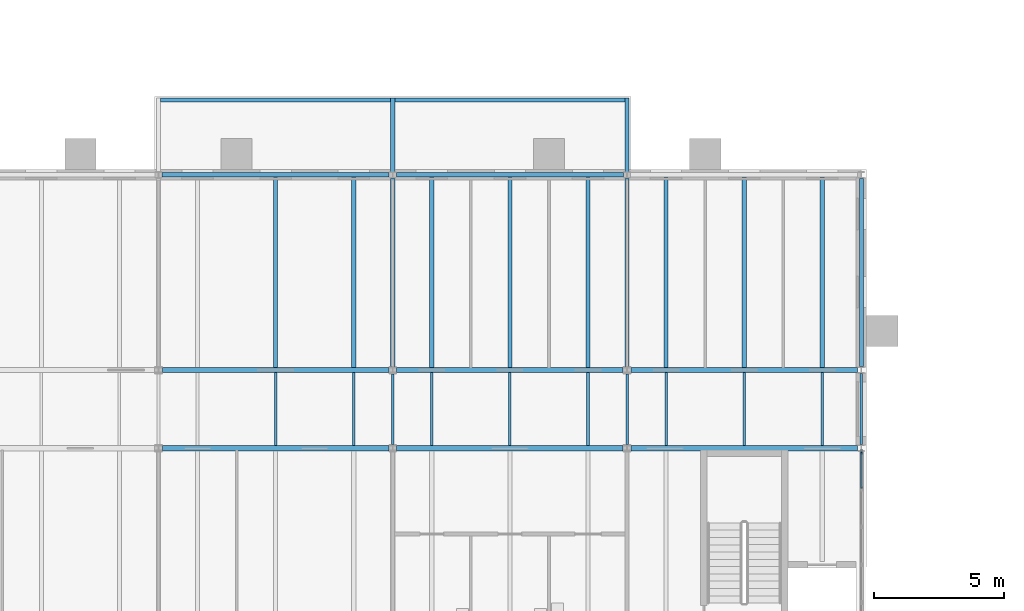
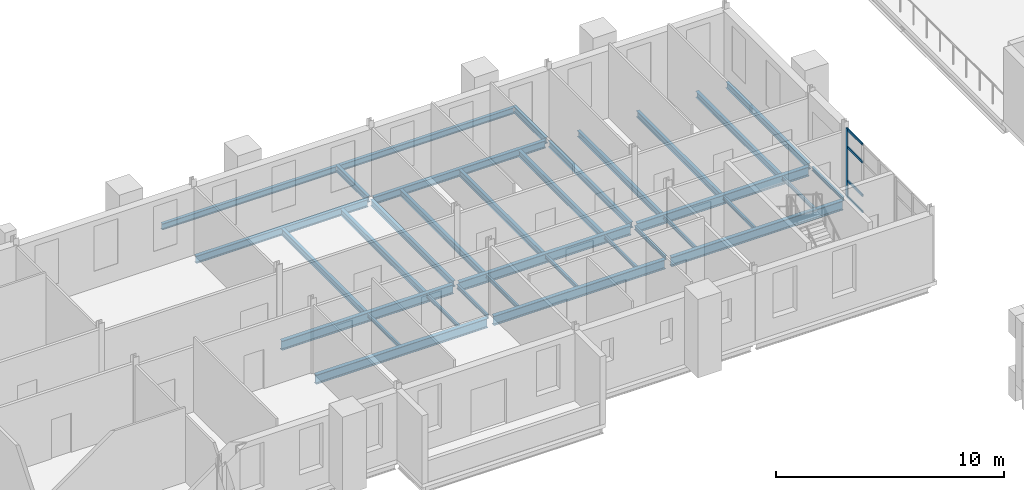
# One storey, part 37 of 154: 34 beams, 5 members, 1 element without a shape of its own.
"""IFC4 building model written with IfcOpenShell, lengths in metres."""

from ifc_helpers import new_model, si_unit, direction, frame, origin, origin_2d, place, context, subcontext, project, spatial, rectangle, i_section, extrude, material, layer, layer_set, material_profile, profile_set, type_object, element, aggregate, save


model = new_model("IFC4")

# Units and contexts
model_context = context("Model", 3, precision=1e-05, world=origin(), true_north=direction((0.0, 1.0)))
body_context = subcontext(model_context, "Body", "Model", "MODEL_VIEW")
ifc_project = project(units=[si_unit("LENGTHUNIT", "METRE"), si_unit("AREAUNIT", "SQUARE_METRE"), si_unit("VOLUMEUNIT", "CUBIC_METRE"), si_unit("PLANEANGLEUNIT", "RADIAN"), si_unit("MASSUNIT", "GRAM", prefix="KILO")], contexts=[model_context])

# Site, building, storey
site_placement = place(None, origin())
site = spatial("IfcSite", under=ifc_project, at=site_placement, CompositionType="ELEMENT")
building_placement = place(site_placement, origin())
building = spatial("IfcBuilding", under=site, at=building_placement, Name="Golden Quay Civic Hall", CompositionType="ELEMENT")
storey_placement = place(building_placement, frame((0.0, 0.0, 14.39990234375)))
storey = spatial("IfcBuildingStorey", under=building, at=storey_placement, Name="L03", CompositionType="ELEMENT", Elevation=14.39990234375)

# Curtain wall, members
ifc_material_1 = material(Name="Glass, laminated double glazed", Category="glass")
ifc_layer = layer(ifc_material_1, 0.199951171875)
ifc_layer_set = layer_set([ifc_layer], Name="Glazed core strip curtain wall")
curtain_wall_type = type_object("IfcCurtainWallType", Name="Glazed core strip curtain wall", PredefinedType="NOTDEFINED", material=ifc_layer_set)
curtain_wall_placement = place(storey_placement, origin())
curtain_wall = element("IfcCurtainWall", 1, at=curtain_wall_placement, inside=storey, type_object=curtain_wall_type, Name="Glazed core strip curtain wall L03 2", PredefinedType="NOTDEFINED")
ifc_material_2 = material(Name="Aluminium, anodised", Category="aluminium")
ifc_material_profile_1 = material_profile(ifc_material_2, rectangle(XDim=0.06005859375, YDim=0.159912109375, at=origin_2d()), Name="Aluminium 60 x 160")
ifc_profile_set_1 = profile_set([ifc_material_profile_1], Name="Aluminium, anodised")
member_type_1 = type_object("IfcMemberType", Name="Aluminium mullion 60 x 160", PredefinedType="MULLION", material=ifc_profile_set_1)
member_1_placement = place(storey_placement, frame((54.0, 70.35498046875, 0.0), z_axis=(0.0, 0.0, 1.0), x_axis=(1.0, 0.0, 0.0)))
member_1 = element("IfcMember", 2, at=member_1_placement, type_object=member_type_1, Name="CW2 mullion 1", PredefinedType="MULLION", context=body_context, shape_type="SweptSolid", body=[
    extrude(rectangle(XDim=0.06005859375, YDim=0.159912109375, at=origin_2d()), origin(), (0.0, 0.0, 1.0), 3.670166015625),
])
ifc_material_3 = material(Name="Aluminium, anodised", Category="aluminium")
ifc_material_profile_2 = material_profile(ifc_material_3, rectangle(XDim=0.06005859375, YDim=0.1201171875, at=origin_2d()), Name="Aluminium 60 x 120")
ifc_profile_set_2 = profile_set([ifc_material_profile_2], Name="Aluminium, anodised")
member_type_2 = type_object("IfcMemberType", Name="Aluminium transom 60 x 120", PredefinedType="USERDEFINED", material=ifc_profile_set_2)
member_2_placement = place(storey_placement, frame((54.0, 70.324951171875, 0.030029296875), z_axis=(0.0, -1.0, 0.0), x_axis=(1.0, 0.0, 0.0)))
member_2 = element("IfcMember", 3, at=member_2_placement, type_object=member_type_2, Name="CW2 transom 1.1", ObjectType="TRANSOM", PredefinedType="USERDEFINED", context=body_context, shape_type="SweptSolid", body=[
    extrude(rectangle(XDim=0.06005859375, YDim=0.1201171875, at=origin_2d()), origin(), (0.0, 0.0, 1.0), 1.364013671875),
])
member_3_placement = place(storey_placement, frame((54.0, 70.324951171875, 0.900146484375), z_axis=(0.0, -1.0, 0.0), x_axis=(1.0, 0.0, 0.0)))
member_3 = element("IfcMember", 4, at=member_3_placement, type_object=member_type_2, Name="CW2 transom 1.2", ObjectType="TRANSOM", PredefinedType="USERDEFINED", context=body_context, shape_type="SweptSolid", body=[
    extrude(rectangle(XDim=0.06005859375, YDim=0.1201171875, at=origin_2d()), origin(), (0.0, 0.0, 1.0), 1.364013671875),
])
member_4_placement = place(storey_placement, frame((54.0, 70.324951171875, 2.7001953125), z_axis=(0.0, -1.0, 0.0), x_axis=(1.0, 0.0, 0.0)))
member_4 = element("IfcMember", 5, at=member_4_placement, type_object=member_type_2, Name="CW2 transom 1.3", ObjectType="TRANSOM", PredefinedType="USERDEFINED", context=body_context, shape_type="SweptSolid", body=[
    extrude(rectangle(XDim=0.06005859375, YDim=0.1201171875, at=origin_2d()), origin(), (0.0, 0.0, 1.0), 1.364013671875),
])
member_5_placement = place(storey_placement, frame((54.0, 70.324951171875, 3.64013671875), z_axis=(0.0, -1.0, 0.0), x_axis=(1.0, 0.0, 0.0)))
member_5 = element("IfcMember", 6, at=member_5_placement, type_object=member_type_2, Name="CW2 transom 1.4", ObjectType="TRANSOM", PredefinedType="USERDEFINED", context=body_context, shape_type="SweptSolid", body=[
    extrude(rectangle(XDim=0.06005859375, YDim=0.1201171875, at=origin_2d()), origin(), (0.0, 0.0, 1.0), 1.364013671875),
])
aggregate(curtain_wall, [member_1, member_2, member_3, member_4, member_5])

# Beams
ifc_material_4 = material(Name="Steel S355", Category="steel")
ifc_material_profile_3 = material_profile(ifc_material_4, i_section(OverallWidth=0.159912109375, OverallDepth=0.330078125, WebThickness=0.007568359375, FlangeThickness=0.011474609375, FilletRadius=0.01806640625, at=origin_2d()), Name="IPE 330")
ifc_profile_set_3 = profile_set([ifc_material_profile_3], Name="Steel S355")
beam_type_1 = type_object("IfcBeamType", Name="Loggia head beam IPE 330", PredefinedType="BEAM", material=ifc_profile_set_3)
for number, where, z_axis, x_axis, name in (
    (7, (27.080078125, 83.8701171875, -0.364990234375), (1.0, 0.0, 0.0), (0.0, 1.0, 0.0), "Loggia head beam IPE 330 L03 2"),
    (8, (36.080078125, 83.8701171875, -0.364990234375), (1.0, 0.0, 0.0), (0.0, 1.0, 0.0), "Loggia head beam IPE 330 L03 3"),
):
    element("IfcBeam", number, at=place(storey_placement, frame(where, z_axis=z_axis, x_axis=x_axis)), inside=storey, type_object=beam_type_1, Name=name, PredefinedType="BEAM", context=body_context, shape_type="SweptSolid", body=[
        extrude(i_section(OverallWidth=0.159912109375, OverallDepth=0.330078125, WebThickness=0.007568359375, FlangeThickness=0.011474609375, FilletRadius=0.01806640625, at=origin_2d()), origin(), (0.0, 0.0, 1.0), 8.83984375),
    ])
ifc_material_5 = material(Name="Steel S355", Category="steel")
ifc_material_profile_4 = material_profile(ifc_material_5, i_section(OverallWidth=0.159912109375, OverallDepth=0.330078125, WebThickness=0.007568359375, FlangeThickness=0.011474609375, FilletRadius=0.01806640625, at=origin_2d()), Name="IPE 330")
ifc_profile_set_4 = profile_set([ifc_material_profile_4], Name="Steel S355")
beam_type_2 = type_object("IfcBeamType", Name="Loggia stub IPE 330", PredefinedType="BEAM", material=ifc_profile_set_4)
for number, where, z_axis, x_axis, name in (
    (9, (36.0, 81.114990234375, -0.364990234375), (0.0, 1.0, 0.0), (-1.0, 0.0, 0.0), "Loggia stub IPE 330 L03 4"),
    (10, (45.0, 81.114990234375, -0.364990234375), (0.0, 1.0, 0.0), (-1.0, 0.0, 0.0), "Loggia stub IPE 330 L03 5"),
):
    element("IfcBeam", number, at=place(storey_placement, frame(where, z_axis=z_axis, x_axis=x_axis)), inside=storey, type_object=beam_type_2, Name=name, PredefinedType="BEAM", context=body_context, shape_type="SweptSolid", body=[
        extrude(i_section(OverallWidth=0.159912109375, OverallDepth=0.330078125, WebThickness=0.007568359375, FlangeThickness=0.011474609375, FilletRadius=0.01806640625, at=origin_2d()), origin(), (0.0, 0.0, 1.0), 2.8349609375),
    ])
ifc_material_6 = material(Name="Steel S355", Category="steel")
ifc_material_profile_5 = material_profile(ifc_material_6, i_section(OverallWidth=0.10009765625, OverallDepth=0.199951171875, WebThickness=0.005615234375, FlangeThickness=0.008544921875, FilletRadius=0.011962890625, at=origin_2d()), Name="IPE 200")
ifc_profile_set_5 = profile_set([ifc_material_profile_5], Name="Steel S355")
beam_type_3 = type_object("IfcBeamType", Name="Steel beam IPE 200", PredefinedType="BEAM", material=ifc_profile_set_5)
for number, where, z_axis, x_axis, name in (
    (11, (36.0, 70.64501953125, -0.2998046875), (0.0, 1.0, 0.0), (-1.0, 0.0, 0.0), "Beam S36-70.5"),
    (12, (45.0, 70.64501953125, -0.2998046875), (0.0, 1.0, 0.0), (-1.0, 0.0, 0.0), "Beam S45-70.5"),
):
    element("IfcBeam", number, at=place(storey_placement, frame(where, z_axis=z_axis, x_axis=x_axis)), inside=storey, type_object=beam_type_3, Name=name, PredefinedType="BEAM", context=body_context, shape_type="SweptSolid", body=[
        extrude(i_section(OverallWidth=0.10009765625, OverallDepth=0.199951171875, WebThickness=0.005615234375, FlangeThickness=0.008544921875, FilletRadius=0.011962890625, at=origin_2d()), origin(), (0.0, 0.0, 1.0), 2.7099609375),
    ])
beam_1_placement = place(storey_placement, frame((54.0, 70.635009765625, -0.2998046875), z_axis=(0.0, 1.0, 0.0), x_axis=(-1.0, 0.0, 0.0)))
element("IfcBeam", 13, at=beam_1_placement, inside=storey, type_object=beam_type_3, Name="Beam S54-70.5", PredefinedType="BEAM", context=body_context, shape_type="SweptSolid", body=[
    extrude(i_section(OverallWidth=0.10009765625, OverallDepth=0.199951171875, WebThickness=0.005615234375, FlangeThickness=0.008544921875, FilletRadius=0.011962890625, at=origin_2d()), origin(), (0.0, 0.0, 1.0), 2.72998046875),
])
ifc_material_7 = material(Name="Steel S355", Category="steel")
ifc_material_profile_6 = material_profile(ifc_material_7, i_section(OverallWidth=0.159912109375, OverallDepth=0.330078125, WebThickness=0.007568359375, FlangeThickness=0.011474609375, FilletRadius=0.01806640625, at=origin_2d()), Name="IPE 330")
ifc_profile_set_6 = profile_set([ifc_material_profile_6], Name="Steel S355")
beam_type_4 = type_object("IfcBeamType", Name="Steel beam IPE 330", PredefinedType="BEAM", material=ifc_profile_set_6)
for number, where, z_axis, x_axis, name in (
    (14, (36.0, 73.64501953125, -0.364990234375), (0.0, 1.0, 0.0), (-1.0, 0.0, 0.0), "Beam S36-73.5"),
    (15, (45.0, 73.64501953125, -0.364990234375), (0.0, 1.0, 0.0), (-1.0, 0.0, 0.0), "Beam S45-73.5"),
):
    element("IfcBeam", number, at=place(storey_placement, frame(where, z_axis=z_axis, x_axis=x_axis)), inside=storey, type_object=beam_type_4, Name=name, PredefinedType="BEAM", context=body_context, shape_type="SweptSolid", body=[
        extrude(i_section(OverallWidth=0.159912109375, OverallDepth=0.330078125, WebThickness=0.007568359375, FlangeThickness=0.011474609375, FilletRadius=0.01806640625, at=origin_2d()), origin(), (0.0, 0.0, 1.0), 7.219970703125),
    ])
beam_2_placement = place(storey_placement, frame((54.0, 73.635009765625, -0.364990234375), z_axis=(0.0, 1.0, 0.0), x_axis=(-1.0, 0.0, 0.0)))
element("IfcBeam", 16, at=beam_2_placement, inside=storey, type_object=beam_type_4, Name="Beam S54-73.5", PredefinedType="BEAM", context=body_context, shape_type="SweptSolid", body=[
    extrude(i_section(OverallWidth=0.159912109375, OverallDepth=0.330078125, WebThickness=0.007568359375, FlangeThickness=0.011474609375, FilletRadius=0.01806640625, at=origin_2d()), origin(), (0.0, 0.0, 1.0), 7.22998046875),
])
ifc_material_8 = material(Name="Steel S355", Category="steel")
ifc_material_profile_7 = material_profile(ifc_material_8, i_section(OverallWidth=0.179931640625, OverallDepth=0.39990234375, WebThickness=0.008544921875, FlangeThickness=0.013427734375, FilletRadius=0.02099609375, at=origin_2d()), Name="IPE 400")
ifc_profile_set_7 = profile_set([ifc_material_profile_7], Name="Steel S355")
beam_type_5 = type_object("IfcBeamType", Name="Steel beam IPE 400", PredefinedType="BEAM", material=ifc_profile_set_7)
for number, where, z_axis, x_axis, name in (
    (17, (27.139892578125, 81.0, -0.39990234375), (1.0, 0.0, 0.0), (0.0, 1.0, 0.0), "Beam L81-27"),
    (18, (36.139892578125, 81.0, -0.39990234375), (1.0, 0.0, 0.0), (0.0, 1.0, 0.0), "Beam L81-36"),
):
    element("IfcBeam", number, at=place(storey_placement, frame(where, z_axis=z_axis, x_axis=x_axis)), inside=storey, type_object=beam_type_5, Name=name, PredefinedType="BEAM", context=body_context, shape_type="SweptSolid", body=[
        extrude(i_section(OverallWidth=0.179931640625, OverallDepth=0.39990234375, WebThickness=0.008544921875, FlangeThickness=0.013427734375, FilletRadius=0.02099609375, at=origin_2d()), origin(), (0.0, 0.0, 1.0), 8.72021484375),
    ])
ifc_material_9 = material(Name="Steel S355", Category="steel")
ifc_material_profile_8 = material_profile(ifc_material_9, i_section(OverallWidth=0.199951171875, OverallDepth=0.5, WebThickness=0.01025390625, FlangeThickness=0.01611328125, FilletRadius=0.02099609375, at=origin_2d()), Name="IPE 500")
ifc_profile_set_8 = profile_set([ifc_material_profile_8], Name="Steel S355")
beam_type_6 = type_object("IfcBeamType", Name="Steel beam IPE 500", PredefinedType="BEAM", material=ifc_profile_set_8)
for number, where, z_axis, x_axis, name in (
    (19, (27.14990234375, 70.5, -0.449951171875), (1.0, 0.0, 0.0), (0.0, 1.0, 0.0), "Beam L70.5-27"),
    (20, (36.14990234375, 70.5, -0.449951171875), (1.0, 0.0, 0.0), (0.0, 1.0, 0.0), "Beam L70.5-36"),
):
    element("IfcBeam", number, at=place(storey_placement, frame(where, z_axis=z_axis, x_axis=x_axis)), inside=storey, type_object=beam_type_6, Name=name, PredefinedType="BEAM", context=body_context, shape_type="SweptSolid", body=[
        extrude(i_section(OverallWidth=0.199951171875, OverallDepth=0.5, WebThickness=0.01025390625, FlangeThickness=0.01611328125, FilletRadius=0.02099609375, at=origin_2d()), origin(), (0.0, 0.0, 1.0), 8.7001953125),
    ])
beam_3_placement = place(storey_placement, frame((45.14990234375, 70.5, -0.449951171875), z_axis=(1.0, 0.0, 0.0), x_axis=(0.0, 1.0, 0.0)))
element("IfcBeam", 21, at=beam_3_placement, inside=storey, type_object=beam_type_6, Name="Beam L70.5-45", PredefinedType="BEAM", context=body_context, shape_type="SweptSolid", body=[
    extrude(i_section(OverallWidth=0.199951171875, OverallDepth=0.5, WebThickness=0.01025390625, FlangeThickness=0.01611328125, FilletRadius=0.02099609375, at=origin_2d()), origin(), (0.0, 0.0, 1.0), 8.710205078125),
])
for number, where, z_axis, x_axis, name in (
    (22, (27.14990234375, 73.5, -0.449951171875), (1.0, 0.0, 0.0), (0.0, 1.0, 0.0), "Beam L73.5-27"),
    (23, (36.14990234375, 73.5, -0.449951171875), (1.0, 0.0, 0.0), (0.0, 1.0, 0.0), "Beam L73.5-36"),
):
    element("IfcBeam", number, at=place(storey_placement, frame(where, z_axis=z_axis, x_axis=x_axis)), inside=storey, type_object=beam_type_6, Name=name, PredefinedType="BEAM", context=body_context, shape_type="SweptSolid", body=[
        extrude(i_section(OverallWidth=0.199951171875, OverallDepth=0.5, WebThickness=0.01025390625, FlangeThickness=0.01611328125, FilletRadius=0.02099609375, at=origin_2d()), origin(), (0.0, 0.0, 1.0), 8.7001953125),
    ])
beam_4_placement = place(storey_placement, frame((45.14990234375, 73.5, -0.449951171875), z_axis=(1.0, 0.0, 0.0), x_axis=(0.0, 1.0, 0.0)))
element("IfcBeam", 24, at=beam_4_placement, inside=storey, type_object=beam_type_6, Name="Beam L73.5-45", PredefinedType="BEAM", context=body_context, shape_type="SweptSolid", body=[
    extrude(i_section(OverallWidth=0.199951171875, OverallDepth=0.5, WebThickness=0.01025390625, FlangeThickness=0.01611328125, FilletRadius=0.02099609375, at=origin_2d()), origin(), (0.0, 0.0, 1.0), 8.710205078125),
])
ifc_material_10 = material(Name="Steel S355", Category="steel")
ifc_material_profile_9 = material_profile(ifc_material_10, i_section(OverallWidth=0.10009765625, OverallDepth=0.199951171875, WebThickness=0.005615234375, FlangeThickness=0.008544921875, FilletRadius=0.011962890625, at=origin_2d()), Name="IPE 200")
ifc_profile_set_9 = profile_set([ifc_material_profile_9], Name="Steel S355")
beam_type_7 = type_object("IfcBeamType", Name="Steel joist IPE 200", PredefinedType="JOIST", material=ifc_profile_set_9)
for number, where, z_axis, x_axis, name in (
    (25, (31.5, 70.60009765625, -0.2998046875), (0.0, 1.0, 0.0), (-1.0, 0.0, 0.0), "Joist J31.5-70.5"),
    (26, (34.5, 70.60009765625, -0.2998046875), (0.0, 1.0, 0.0), (-1.0, 0.0, 0.0), "Joist J34.5-70.5"),
    (27, (37.5, 70.60009765625, -0.2998046875), (0.0, 1.0, 0.0), (-1.0, 0.0, 0.0), "Joist J37.5-70.5"),
    (28, (40.5, 70.60009765625, -0.2998046875), (0.0, 1.0, 0.0), (-1.0, 0.0, 0.0), "Joist J40.5-70.5"),
    (29, (43.5, 70.60009765625, -0.2998046875), (0.0, 1.0, 0.0), (-1.0, 0.0, 0.0), "Joist J43.5-70.5"),
    (30, (46.5, 70.60009765625, -0.2998046875), (0.0, 1.0, 0.0), (-1.0, 0.0, 0.0), "Joist J46.5-70.5"),
    (31, (49.5, 70.60009765625, -0.2998046875), (0.0, 1.0, 0.0), (-1.0, 0.0, 0.0), "Joist J49.5-70.5"),
    (32, (52.5, 70.60009765625, -0.2998046875), (0.0, 1.0, 0.0), (-1.0, 0.0, 0.0), "Joist J52.5-70.5"),
):
    element("IfcBeam", number, at=place(storey_placement, frame(where, z_axis=z_axis, x_axis=x_axis)), inside=storey, type_object=beam_type_7, Name=name, PredefinedType="JOIST", context=body_context, shape_type="SweptSolid", body=[
        extrude(i_section(OverallWidth=0.10009765625, OverallDepth=0.199951171875, WebThickness=0.005615234375, FlangeThickness=0.008544921875, FilletRadius=0.011962890625, at=origin_2d()), origin(), (0.0, 0.0, 1.0), 2.7998046875),
    ])
ifc_material_11 = material(Name="Steel S355", Category="steel")
ifc_material_profile_10 = material_profile(ifc_material_11, i_section(OverallWidth=0.159912109375, OverallDepth=0.330078125, WebThickness=0.007568359375, FlangeThickness=0.011474609375, FilletRadius=0.01806640625, at=origin_2d()), Name="IPE 330")
ifc_profile_set_10 = profile_set([ifc_material_profile_10], Name="Steel S355")
beam_type_8 = type_object("IfcBeamType", Name="Steel joist IPE 330", PredefinedType="JOIST", material=ifc_profile_set_10)
for number, where, z_axis, x_axis, name in (
    (33, (31.5, 73.60009765625, -0.364990234375), (0.0, 1.0, 0.0), (-1.0, 0.0, 0.0), "Joist J31.5-73.5"),
    (34, (34.5, 73.60009765625, -0.364990234375), (0.0, 1.0, 0.0), (-1.0, 0.0, 0.0), "Joist J34.5-73.5"),
    (35, (37.5, 73.60009765625, -0.364990234375), (0.0, 1.0, 0.0), (-1.0, 0.0, 0.0), "Joist J37.5-73.5"),
    (36, (40.5, 73.60009765625, -0.364990234375), (0.0, 1.0, 0.0), (-1.0, 0.0, 0.0), "Joist J40.5-73.5"),
    (37, (43.5, 73.60009765625, -0.364990234375), (0.0, 1.0, 0.0), (-1.0, 0.0, 0.0), "Joist J43.5-73.5"),
    (38, (46.5, 73.60009765625, -0.364990234375), (0.0, 1.0, 0.0), (-1.0, 0.0, 0.0), "Joist J46.5-73.5"),
    (39, (49.5, 73.60009765625, -0.364990234375), (0.0, 1.0, 0.0), (-1.0, 0.0, 0.0), "Joist J49.5-73.5"),
    (40, (52.5, 73.60009765625, -0.364990234375), (0.0, 1.0, 0.0), (-1.0, 0.0, 0.0), "Joist J52.5-73.5"),
):
    element("IfcBeam", number, at=place(storey_placement, frame(where, z_axis=z_axis, x_axis=x_axis)), inside=storey, type_object=beam_type_8, Name=name, PredefinedType="JOIST", context=body_context, shape_type="SweptSolid", body=[
        extrude(i_section(OverallWidth=0.159912109375, OverallDepth=0.330078125, WebThickness=0.007568359375, FlangeThickness=0.011474609375, FilletRadius=0.01806640625, at=origin_2d()), origin(), (0.0, 0.0, 1.0), 7.309814453125),
    ])

save(model, "model.ifc")
